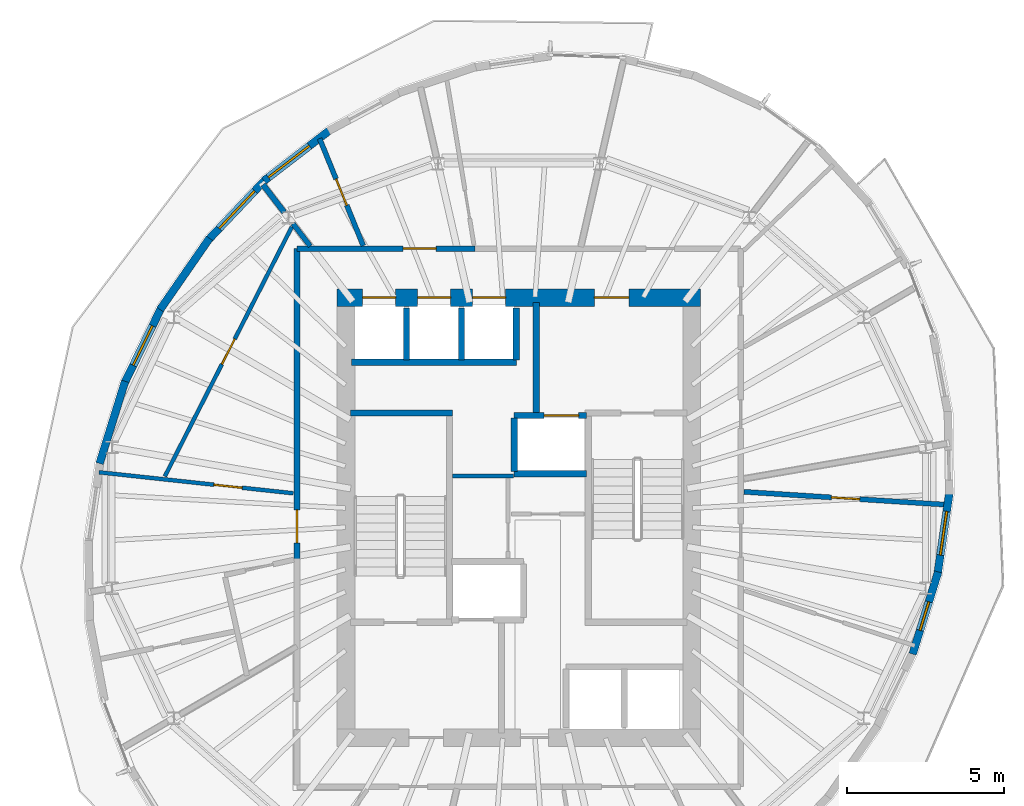
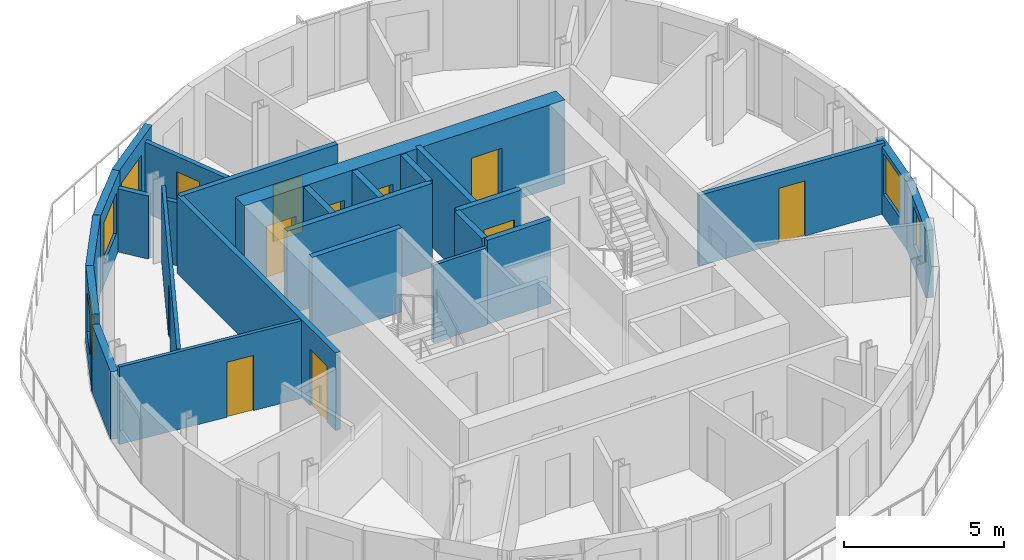
# One storey, part 6 of 11: 26 walls, 11 doors, 5 windows, 16 openings.
"""IFC4 building model written with IfcOpenShell, lengths in metres."""

from ifc_helpers import new_model, si_unit, direction, frame, frame_2d, origin, place, context, subcontext, project, spatial, rectangle, extrude, material, layer, layer_set, type_object, element, fill, save


model = new_model("IFC4")

# Units and contexts
model_context = context("Model", 3, precision=1e-05, world=origin(), true_north=direction((0.0, 1.0)))
body_context = subcontext(model_context, "Body", "Model", "MODEL_VIEW")
ifc_project = project(units=[si_unit("LENGTHUNIT", "METRE"), si_unit("AREAUNIT", "SQUARE_METRE"), si_unit("VOLUMEUNIT", "CUBIC_METRE"), si_unit("PLANEANGLEUNIT", "RADIAN"), si_unit("MASSUNIT", "GRAM", prefix="KILO")], contexts=[model_context])

# Site, building, storey
site_placement = place(None, origin())
site = spatial("IfcSite", under=ifc_project, at=site_placement, CompositionType="ELEMENT")
building_placement = place(site_placement, origin())
building = spatial("IfcBuilding", under=site, at=building_placement, Name="Veldorim Arch Residences", CompositionType="ELEMENT")
storey_placement = place(building_placement, frame((0.0, 0.0, 236.639892578125)))
storey = spatial("IfcBuildingStorey", under=building, at=storey_placement, Name="L71", CompositionType="ELEMENT", Elevation=236.639892578125)

# Wall
ifc_material_1 = material(Name="Acoustic Gypsum Board", Category="gypsum")
ifc_layer_1 = layer(ifc_material_1, 0.125, Name="Acoustic Stud Room Partition Wall 125")
ifc_layer_set_1 = layer_set([ifc_layer_1], Name="Acoustic Gypsum Board")
wall_type_1 = type_object("IfcWallType", Name="Acoustic Stud Room Partition Wall 125", PredefinedType="PARTITIONING", material=ifc_layer_set_1)
wall_1_placement = place(storey_placement, frame((29.889892578125, 25.330078125, 0.0), z_axis=(0.0, 0.0, 1.0), x_axis=(1.0, 0.0, 0.0)))
element("IfcWall", 1, at=wall_1_placement, inside=storey, type_object=wall_type_1, Name="L71 interior wall WL-CA-L71-N", PredefinedType="PARTITIONING", context=body_context, shape_type="SweptSolid", body=[
    extrude(rectangle(XDim=1.940185546875, YDim=0.125, at=frame_2d((0.97021484375, 0.0))), origin(), (0.0, 0.0, 1.0), 2.955078125),
])

# Wall, opening, door
wall_2_placement = place(storey_placement, frame((18.640380859375, 25.444580078125, 0.0), z_axis=(0.0, 0.0, 1.0), x_axis=(0.994206026696, -0.107491285604, 0.0)))
wall_2 = element("IfcWall", 2, at=wall_2_placement, inside=storey, type_object=wall_type_1, Name="L71 interior wall WL-RES-L71-025", PredefinedType="PARTITIONING", context=body_context, shape_type="SweptSolid", body=[
    extrude(rectangle(XDim=6.216552734375, YDim=0.125, at=frame_2d((3.1083984375, 0.0))), origin(), (0.0, 0.0, 1.0), 2.955078125),
])
opening_1_placement = place(wall_2_placement, frame((3.67822265625, 0.0, 0.0)))
opening_1 = element("IfcOpeningElement", 3, at=opening_1_placement, cuts=wall_2, Name="Opening DR-INT", PredefinedType="OPENING", context=body_context, shape_type="SweptSolid", body=[
    extrude(rectangle(XDim=0.89990234375, YDim=2.10009765625, at=frame_2d((0.449951171875, 1.050048828125))), frame((0.0, 0.072509765625, 0.0), z_axis=(0.0, -1.0, 0.0), x_axis=(1.0, 0.0, 0.0)), (0.0, 0.0, 1.0), 0.14501953125),
])
ifc_material_2 = material(Name="Engineered Timber", Category="wood")
door_type_1 = type_object("IfcDoorType", Name="Apartment Internal Room Timber Door 900x2100", OperationType="SINGLE_SWING_LEFT", PredefinedType="DOOR", material=ifc_material_2)
door_1_placement = place(opening_1_placement, origin())
door_1 = element("IfcDoor", 4, at=door_1_placement, inside=storey, type_object=door_type_1, Name="L71 interior door DR-RES-L71-017", OperationType="SINGLE_SWING_LEFT", OverallHeight=2.10009765625, OverallWidth=0.89990234375, PredefinedType="DOOR", context=body_context, shape_type="SweptSolid", body=[
    extrude(rectangle(XDim=0.89990234375, YDim=2.10009765625, at=frame_2d((0.449951171875, 1.050048828125))), frame((0.0, 0.02490234375, 0.0), z_axis=(0.0, -1.0, 0.0), x_axis=(1.0, 0.0, 0.0)), (0.0, 0.0, 1.0), 0.050048828125),
])
fill(opening_1, door_1)

wall_3_placement = place(storey_placement, frame((20.733642578125, 25.312255859375, 0.0), z_axis=(0.0, 0.0, 1.0), x_axis=(0.45353588766, 0.891238014564, 0.0)))
wall_3 = element("IfcWall", 5, at=wall_3_placement, inside=storey, type_object=wall_type_1, Name="L71 interior wall WL-RES-L71-028", PredefinedType="PARTITIONING", context=body_context, shape_type="SweptSolid", body=[
    extrude(rectangle(XDim=8.912109375, YDim=0.125, at=frame_2d((4.4560546875, 0.0))), origin(), (0.0, 0.0, 1.0), 2.955078125),
])
opening_2_placement = place(wall_3_placement, frame((4.006103515625, 0.0, 0.0)))
opening_2 = element("IfcOpeningElement", 6, at=opening_2_placement, cuts=wall_3, Name="Opening DR-INT", PredefinedType="OPENING", context=body_context, shape_type="SweptSolid", body=[
    extrude(rectangle(XDim=0.89990234375, YDim=2.10009765625, at=frame_2d((0.449951171875, 1.050048828125))), frame((0.0, 0.072509765625, 0.0), z_axis=(0.0, -1.0, 0.0), x_axis=(1.0, 0.0, 0.0)), (0.0, 0.0, 1.0), 0.14501953125),
])
door_2_placement = place(opening_2_placement, origin())
door_2 = element("IfcDoor", 7, at=door_2_placement, inside=storey, type_object=door_type_1, Name="L71 interior door DR-RES-L71-018", OperationType="SINGLE_SWING_RIGHT", OverallHeight=2.10009765625, OverallWidth=0.89990234375, PredefinedType="DOOR", context=body_context, shape_type="SweptSolid", body=[
    extrude(rectangle(XDim=0.89990234375, YDim=2.10009765625, at=frame_2d((0.449951171875, 1.050048828125))), frame((0.0, 0.02490234375, 0.0), z_axis=(0.0, -1.0, 0.0), x_axis=(1.0, 0.0, 0.0)), (0.0, 0.0, 1.0), 0.050048828125),
])
fill(opening_2, door_2)

# Wall
ifc_material_3 = material(Name="Lightweight Masonry Block & Gypsum", Category="masonry")
ifc_layer_2 = layer(ifc_material_3, 0.179931640625, Name="Compartment & Corridor Fire-Rated Party Wall 180")
ifc_layer_set_2 = layer_set([ifc_layer_2], Name="Lightweight Masonry Block & Gypsum")
wall_type_2 = type_object("IfcWallType", Name="Compartment & Corridor Fire-Rated Party Wall 180", PredefinedType="PARTITIONING", material=ifc_layer_set_2)
wall_4_placement = place(storey_placement, frame((24.53271484375, 33.719482421875, 0.0), z_axis=(0.0, 0.0, 1.0), x_axis=(-0.609209464238, 0.793009349682, 0.0)))
element("IfcWall", 8, at=wall_4_placement, inside=storey, type_object=wall_type_2, Name="L71 interior wall WL-PIER-L71-06", PredefinedType="PARTITIONING", context=body_context, shape_type="SweptSolid", body=[
    extrude(rectangle(XDim=1.1064453125, YDim=0.179931640625, at=frame_2d((0.55322265625, 0.0))), origin(), (0.0, 0.0, 1.0), 2.403564453125),
])

# Wall, opening, door
wall_5_placement = place(storey_placement, frame((24.93994140625, 32.56005859375, 0.0), z_axis=(0.0, 0.0, 1.0), x_axis=(1.0, 0.0, 0.0)))
wall_5 = element("IfcWall", 9, at=wall_5_placement, inside=storey, type_object=wall_type_2, Name="L71 interior wall WL-RES-L71-007", PredefinedType="PARTITIONING", context=body_context, shape_type="SweptSolid", body=[
    extrude(rectangle(XDim=5.671875, YDim=0.179931640625, at=frame_2d((2.8359375, 0.0))), origin(), (0.0, 0.0, 1.0), 2.955078125),
])
opening_3_placement = place(wall_5_placement, frame((3.373291015625, 0.0, 0.0)))
opening_3 = element("IfcOpeningElement", 10, at=opening_3_placement, cuts=wall_5, Name="Opening DR-FLT", PredefinedType="OPENING", context=body_context, shape_type="SweptSolid", body=[
    extrude(rectangle(XDim=1.050048828125, YDim=2.14990234375, at=frame_2d((0.52490234375, 1.074951171875))), frame((0.0, 0.099853515625, 0.0), z_axis=(0.0, -1.0, 0.0), x_axis=(1.0, 0.0, 0.0)), (0.0, 0.0, 1.0), 0.199951171875),
])
ifc_material_4 = material(Name="Fire-Rated Timber", Category="wood")
door_type_2 = type_object("IfcDoorType", Name="Apartment Entrance Solid-Core Fire Door 1050x2150", OperationType="SINGLE_SWING_LEFT", PredefinedType="DOOR", material=ifc_material_4)
door_3_placement = place(opening_3_placement, origin())
door_3 = element("IfcDoor", 11, at=door_3_placement, inside=storey, type_object=door_type_2, Name="L71 interior door DR-RES-L71-012", OperationType="SINGLE_SWING_RIGHT", OverallHeight=2.14990234375, OverallWidth=1.050048828125, PredefinedType="DOOR", context=body_context, shape_type="SweptSolid", body=[
    extrude(rectangle(XDim=1.050048828125, YDim=2.14990234375, at=frame_2d((0.52490234375, 1.074951171875))), frame((0.0, 0.02490234375, 0.0), z_axis=(0.0, -1.0, 0.0), x_axis=(1.0, 0.0, 0.0)), (0.0, 0.0, 1.0), 0.050048828125),
])
fill(opening_3, door_3)

wall_6_placement = place(storey_placement, frame((24.93994140625, 22.664306640625, 0.0), z_axis=(0.0, 0.0, 1.0), x_axis=(0.0, 1.0, 0.0)))
wall_6 = element("IfcWall", 12, at=wall_6_placement, inside=storey, type_object=wall_type_2, Name="L71 interior wall WL-RES-L71-008", PredefinedType="PARTITIONING", context=body_context, shape_type="SweptSolid", body=[
    extrude(rectangle(XDim=9.895751953125, YDim=0.179931640625, at=frame_2d((4.94775390625, 0.0))), origin(), (0.0, 0.0, 1.0), 2.955078125),
])
opening_4_placement = place(wall_6_placement, frame((0.53466796875, 0.0, 0.0)))
opening_4 = element("IfcOpeningElement", 13, at=opening_4_placement, cuts=wall_6, Name="Opening DR-FLT", PredefinedType="OPENING", context=body_context, shape_type="SweptSolid", body=[
    extrude(rectangle(XDim=1.050048828125, YDim=2.14990234375, at=frame_2d((0.52490234375, 1.074951171875))), frame((0.0, 0.099853515625, 0.0), z_axis=(0.0, -1.0, 0.0), x_axis=(1.0, 0.0, 0.0)), (0.0, 0.0, 1.0), 0.199951171875),
])
door_4_placement = place(opening_4_placement, origin())
door_4 = element("IfcDoor", 14, at=door_4_placement, inside=storey, type_object=door_type_2, Name="L71 interior door DR-RES-L71-015", OperationType="SINGLE_SWING_LEFT", OverallHeight=2.14990234375, OverallWidth=1.050048828125, PredefinedType="DOOR", context=body_context, shape_type="SweptSolid", body=[
    extrude(rectangle(XDim=1.050048828125, YDim=2.14990234375, at=frame_2d((0.52490234375, 1.074951171875))), frame((0.0, 0.02490234375, 0.0), z_axis=(0.0, -1.0, 0.0), x_axis=(1.0, 0.0, 0.0)), (0.0, 0.0, 1.0), 0.050048828125),
])
fill(opening_4, door_4)

# Walls
ifc_material_5 = material(Name="Concrete C50/60", Category="concrete")
ifc_layer_3 = layer(ifc_material_5, 0.199951171875, Name="Core Stair & Lift Shaft Enclosure Wall 200")
ifc_layer_set_3 = layer_set([ifc_layer_3], Name="Concrete C50/60")
wall_type_3 = type_object("IfcWallType", Name="Core Stair & Lift Shaft Enclosure Wall 200", PredefinedType="SHEAR", material=ifc_layer_set_3)
wall_7_placement = place(storey_placement, frame((26.64990234375, 27.330078125, 0.0), z_axis=(0.0, 0.0, 1.0), x_axis=(1.0, 0.0, 0.0)))
element("IfcWall", 15, at=wall_7_placement, inside=storey, type_object=wall_type_3, Name="L71 shaft wall WL-SHF-L71-ST1-N", PredefinedType="SHEAR", context=body_context, shape_type="SweptSolid", body=[
    extrude(rectangle(XDim=3.239990234375, YDim=0.199951171875, at=frame_2d((1.6201171875, 0.0))), origin(), (0.0, 0.0, 1.0), 3.2001953125),
])
wall_8_placement = place(storey_placement, frame((32.550048828125, 27.35009765625, 0.0), z_axis=(0.0, 0.0, 1.0), x_axis=(0.0, 1.0, 0.0)))
element("IfcWall", 16, at=wall_8_placement, inside=storey, type_object=wall_type_3, Name="L71 shaft wall WL-FFL2-L71-W", PredefinedType="SHEAR", context=body_context, shape_type="SweptSolid", body=[
    extrude(rectangle(XDim=3.5, YDim=0.199951171875, at=frame_2d((1.75, 0.0))), origin(), (0.0, 0.0, 1.0), 3.2001953125),
])

# Wall, opening, door
wall_9_placement = place(storey_placement, frame((31.85009765625, 27.25, 0.0), z_axis=(0.0, 0.0, 1.0), x_axis=(1.0, 0.0, 0.0)))
wall_9 = element("IfcWall", 17, at=wall_9_placement, inside=storey, type_object=wall_type_3, Name="L71 shaft wall WL-FL02-L71-N", PredefinedType="SHEAR", context=body_context, shape_type="SweptSolid", body=[
    extrude(rectangle(XDim=2.2998046875, YDim=0.199951171875, at=frame_2d((1.14990234375, 0.0))), origin(), (0.0, 0.0, 1.0), 3.2001953125),
])
opening_5_placement = place(wall_9_placement, frame((0.949951171875, 0.0, 0.0)))
opening_5 = element("IfcOpeningElement", 18, at=opening_5_placement, cuts=wall_9, Name="Opening LD-FF", PredefinedType="OPENING", context=body_context, shape_type="SweptSolid", body=[
    extrude(rectangle(XDim=1.10009765625, YDim=2.14990234375, at=frame_2d((0.550048828125, 1.074951171875))), frame((0.0, 0.10986328125, 0.0), z_axis=(0.0, -1.0, 0.0), x_axis=(1.0, 0.0, 0.0)), (0.0, 0.0, 1.0), 0.219970703125),
])
ifc_material_6 = material(Name="Stainless Steel", Category="steel")
door_type_3 = type_object("IfcDoorType", Name="Firefighting Lift Bi-Parting Sliding Landing Door 1100x2150", OperationType="DOUBLE_DOOR_SLIDING", PredefinedType="DOOR", material=ifc_material_6)
door_5_placement = place(opening_5_placement, origin())
door_5 = element("IfcDoor", 19, at=door_5_placement, inside=storey, type_object=door_type_3, Name="L71 lift landing door LD-L71-FL02", OperationType="DOUBLE_DOOR_SLIDING", OverallHeight=2.14990234375, OverallWidth=1.10009765625, PredefinedType="DOOR", context=body_context, shape_type="SweptSolid", body=[
    extrude(rectangle(XDim=1.10009765625, YDim=2.14990234375, at=frame_2d((0.550048828125, 1.074951171875))), frame((0.0, 0.02490234375, 0.0), z_axis=(0.0, -1.0, 0.0), x_axis=(1.0, 0.0, 0.0)), (0.0, 0.0, 1.0), 0.050048828125),
])
fill(opening_5, door_5)

# Walls
wall_10_placement = place(storey_placement, frame((31.85009765625, 25.39990234375, 0.0), z_axis=(0.0, 0.0, 1.0), x_axis=(1.0, 0.0, 0.0)))
element("IfcWall", 20, at=wall_10_placement, inside=storey, type_object=wall_type_3, Name="L71 shaft wall WL-FL02-L71-S", PredefinedType="SHEAR", context=body_context, shape_type="SweptSolid", body=[
    extrude(rectangle(XDim=2.2998046875, YDim=0.199951171875, at=frame_2d((1.14990234375, 0.0))), origin(), (0.0, 0.0, 1.0), 3.2001953125),
])
wall_11_placement = place(storey_placement, frame((31.85009765625, 25.469970703125, 0.0), z_axis=(0.0, 0.0, 1.0), x_axis=(0.0, 1.0, 0.0)))
element("IfcWall", 21, at=wall_11_placement, inside=storey, type_object=wall_type_3, Name="L71 shaft wall WL-FL02-L71-W", PredefinedType="SHEAR", context=body_context, shape_type="SweptSolid", body=[
    extrude(rectangle(XDim=1.7099609375, YDim=0.199951171875, at=frame_2d((0.85498046875, 0.0))), origin(), (0.0, 0.0, 1.0), 3.2001953125),
])
wall_12_placement = place(storey_placement, frame((26.679931640625, 28.949951171875, 0.0), z_axis=(0.0, 0.0, 1.0), x_axis=(1.0, 0.0, 0.0)))
element("IfcWall", 22, at=wall_12_placement, inside=storey, type_object=wall_type_3, Name="L71 shaft wall WL-B3-L71-S", PredefinedType="SHEAR", context=body_context, shape_type="SweptSolid", body=[
    extrude(rectangle(XDim=5.239990234375, YDim=0.199951171875, at=frame_2d((2.6201171875, 0.0))), origin(), (0.0, 0.0, 1.0), 3.2001953125),
])
for number, where, z_axis, x_axis, name in (
    (23, (31.919921875, 29.02001953125, 0.0), (0.0, 0.0, 1.0), (0.0, 1.0, 0.0), "L71 shaft wall WL-B3-L71-E"),
    (24, (28.425048828125, 29.02001953125, 0.0), (0.0, 0.0, 1.0), (0.0, 1.0, 0.0), "L71 shaft wall WL-B3-L71-D1"),
    (25, (30.175048828125, 29.02001953125, 0.0), (0.0, 0.0, 1.0), (0.0, 1.0, 0.0), "L71 shaft wall WL-B3-L71-D2"),
):
    element("IfcWall", number, at=place(storey_placement, frame(where, z_axis=z_axis, x_axis=x_axis)), inside=storey, type_object=wall_type_3, Name=name, PredefinedType="SHEAR", context=body_context, shape_type="SweptSolid", body=[
        extrude(rectangle(XDim=1.659912109375, YDim=0.199951171875, at=frame_2d((0.830078125, 0.0))), origin(), (0.0, 0.0, 1.0), 3.2001953125),
    ])

# Wall, opening, window
ifc_material_7 = material(Name="Precast concrete C40/50", Category="concrete")
ifc_layer_4 = layer(ifc_material_7, 0.25, Name="Tower Terracotta Spandrel & Pier Wall 250")
ifc_layer_set_4 = layer_set([ifc_layer_4], Name="Precast concrete C40/50")
wall_type_4 = type_object("IfcWallType", Name="Tower Terracotta Spandrel & Pier Wall 250", PredefinedType="SOLIDWALL", material=ifc_layer_set_4)
wall_13_placement = place(storey_placement, frame((23.888671875, 34.720947265625, 0.0), z_axis=(0.0, 0.0, 1.0), x_axis=(0.792543354822, 0.609815571076, 0.0)))
wall_13 = element("IfcWall", 26, at=wall_13_placement, inside=storey, type_object=wall_type_4, Name="L71 terracotta facade wall 07", PredefinedType="SOLIDWALL", context=body_context, shape_type="SweptSolid", body=[
    extrude(rectangle(XDim=2.70166015625, YDim=0.25, at=frame_2d((1.350830078125, 0.0))), origin(), (0.0, 0.0, 1.0), 2.960205078125),
])
opening_6_placement = place(wall_13_placement, frame((0.175048828125, 0.0, 0.85009765625)))
opening_6 = element("IfcOpeningElement", 27, at=opening_6_placement, cuts=wall_13, Name="Opening WN-03", PredefinedType="OPENING", context=body_context, shape_type="SweptSolid", body=[
    extrude(rectangle(XDim=1.64990234375, YDim=1.52001953125, at=frame_2d((0.824951171875, 0.760009765625))), frame((0.0, 0.135009765625, 0.0), z_axis=(0.0, -1.0, 0.0), x_axis=(1.0, 0.0, 0.0)), (0.0, 0.0, 1.0), 0.27001953125),
])
ifc_material_8 = material(Name="Laminated Low-E Glass", Category="glass")
window_type_1 = type_object("IfcWindowType", Name="Residential Wide Window 1650x1550", PartitioningType="SINGLE_PANEL", PredefinedType="WINDOW", material=ifc_material_8)
window_1_placement = place(opening_6_placement, origin())
window_1 = element("IfcWindow", 28, at=window_1_placement, inside=storey, type_object=window_type_1, Name="L71 solar-control facade window 07", OverallHeight=1.52001953125, OverallWidth=1.64990234375, PartitioningType="SINGLE_PANEL", PredefinedType="WINDOW", context=body_context, shape_type="SweptSolid", body=[
    extrude(rectangle(XDim=1.64990234375, YDim=1.52001953125, at=frame_2d((0.824951171875, 0.760009765625))), frame((0.0, 0.030029296875, 0.0), z_axis=(0.0, -1.0, 0.0), x_axis=(1.0, 0.0, 0.0)), (0.0, 0.0, 1.0), 0.06005859375),
])
fill(opening_6, window_1)

wall_14_placement = place(storey_placement, frame((22.08544921875, 32.806884765625, 0.0), z_axis=(0.0, 0.0, 1.0), x_axis=(0.688046261031, 0.725666826223, 0.0)))
wall_14 = element("IfcWall", 29, at=wall_14_placement, inside=storey, type_object=wall_type_4, Name="L71 terracotta facade wall 08", PredefinedType="SOLIDWALL", context=body_context, shape_type="SweptSolid", body=[
    extrude(rectangle(XDim=2.738525390625, YDim=0.25, at=frame_2d((1.369140625, 0.0))), origin(), (0.0, 0.0, 1.0), 2.960205078125),
])
opening_7_placement = place(wall_14_placement, frame((0.5439453125, 0.0, 0.85009765625)))
opening_7 = element("IfcOpeningElement", 30, at=opening_7_placement, cuts=wall_14, Name="Opening WN-03", PredefinedType="OPENING", context=body_context, shape_type="SweptSolid", body=[
    extrude(rectangle(XDim=1.64990234375, YDim=1.550048828125, at=frame_2d((0.824951171875, 0.77490234375))), frame((0.0, 0.135009765625, 0.0), z_axis=(0.0, -1.0, 0.0), x_axis=(1.0, 0.0, 0.0)), (0.0, 0.0, 1.0), 0.27001953125),
])
window_2_placement = place(opening_7_placement, origin())
window_2 = element("IfcWindow", 31, at=window_2_placement, inside=storey, type_object=window_type_1, Name="L71 solar-control facade window 08", OverallHeight=1.550048828125, OverallWidth=1.64990234375, PartitioningType="SINGLE_PANEL", PredefinedType="WINDOW", context=body_context, shape_type="SweptSolid", body=[
    extrude(rectangle(XDim=1.64990234375, YDim=1.550048828125, at=frame_2d((0.824951171875, 0.77490234375))), frame((0.0, 0.030029296875, 0.0), z_axis=(0.0, -1.0, 0.0), x_axis=(1.0, 0.0, 0.0)), (0.0, 0.0, 1.0), 0.06005859375),
])
fill(opening_7, window_2)

# Wall
wall_15_placement = place(storey_placement, frame((20.583740234375, 30.6240234375, 0.0), z_axis=(0.0, 0.0, 1.0), x_axis=(0.569421689582, 0.822045582333, 0.0)))
element("IfcWall", 32, at=wall_15_placement, inside=storey, type_object=wall_type_4, Name="L71 terracotta facade wall 09", PredefinedType="SOLIDWALL", context=body_context, shape_type="SweptSolid", body=[
    extrude(rectangle(XDim=2.758056640625, YDim=0.25, at=frame_2d((1.37890625, 0.0))), origin(), (0.0, 0.0, 1.0), 2.960205078125),
])

# Wall, opening, window
wall_16_placement = place(storey_placement, frame((19.42919921875, 28.2392578125, 0.0), z_axis=(0.0, 0.0, 1.0), x_axis=(0.438517804861, 0.898722501565, 0.0)))
wall_16 = element("IfcWall", 33, at=wall_16_placement, inside=storey, type_object=wall_type_4, Name="L71 terracotta facade wall 10", PredefinedType="SOLIDWALL", context=body_context, shape_type="SweptSolid", body=[
    extrude(rectangle(XDim=2.758056640625, YDim=0.25, at=frame_2d((1.37890625, 0.0))), origin(), (0.0, 0.0, 1.0), 2.960205078125),
])
opening_8_placement = place(wall_16_placement, frame((0.678955078125, 0.0, 0.85009765625)))
opening_8 = element("IfcOpeningElement", 34, at=opening_8_placement, cuts=wall_16, Name="Opening WN-02", PredefinedType="OPENING", context=body_context, shape_type="SweptSolid", body=[
    extrude(rectangle(XDim=1.39990234375, YDim=1.550048828125, at=frame_2d((0.699951171875, 0.77490234375))), frame((0.0, 0.135009765625, 0.0), z_axis=(0.0, -1.0, 0.0), x_axis=(1.0, 0.0, 0.0)), (0.0, 0.0, 1.0), 0.27001953125),
])
ifc_material_9 = material(Name="Laminated Low-E Glass", Category="glass")
window_type_2 = type_object("IfcWindowType", Name="Residential Casement Window 1400x1550", PartitioningType="SINGLE_PANEL", PredefinedType="WINDOW", material=ifc_material_9)
window_3_placement = place(opening_8_placement, origin())
window_3 = element("IfcWindow", 35, at=window_3_placement, inside=storey, type_object=window_type_2, Name="L71 solar-control facade window 10", OverallHeight=1.550048828125, OverallWidth=1.39990234375, PartitioningType="SINGLE_PANEL", PredefinedType="WINDOW", context=body_context, shape_type="SweptSolid", body=[
    extrude(rectangle(XDim=1.39990234375, YDim=1.550048828125, at=frame_2d((0.699951171875, 0.77490234375))), frame((0.0, 0.030029296875, 0.0), z_axis=(0.0, -1.0, 0.0), x_axis=(1.0, 0.0, 0.0)), (0.0, 0.0, 1.0), 0.06005859375),
])
fill(opening_8, window_3)

# Wall
wall_17_placement = place(storey_placement, frame((18.657470703125, 25.72509765625, 0.0), z_axis=(0.0, 0.0, 1.0), x_axis=(0.29642164717, 0.955057174775, 0.0)))
element("IfcWall", 36, at=wall_17_placement, inside=storey, type_object=wall_type_4, Name="L71 terracotta facade wall 11", PredefinedType="SOLIDWALL", context=body_context, shape_type="SweptSolid", body=[
    extrude(rectangle(XDim=2.738525390625, YDim=0.25, at=frame_2d((1.369140625, 0.0))), origin(), (0.0, 0.0, 1.0), 2.5771484375),
])

# Wall, opening, window
wall_18_placement = place(storey_placement, frame((45.342529296875, 22.27490234375, 0.0), z_axis=(0.0, 0.0, 1.0), x_axis=(-0.29642164717, -0.955057174775, 0.0)))
wall_18 = element("IfcWall", 37, at=wall_18_placement, inside=storey, type_object=wall_type_4, Name="L71 terracotta facade wall 29", PredefinedType="SOLIDWALL", context=body_context, shape_type="SweptSolid", body=[
    extrude(rectangle(XDim=2.738525390625, YDim=0.25, at=frame_2d((1.369140625, 0.0))), origin(), (0.0, 0.0, 1.0), 2.5771484375),
])
opening_9_placement = place(wall_18_placement, frame((0.9970703125, 0.0, 0.85009765625)))
opening_9 = element("IfcOpeningElement", 38, at=opening_9_placement, cuts=wall_18, Name="Opening WN-05", PredefinedType="OPENING", context=body_context, shape_type="SweptSolid", body=[
    extrude(rectangle(XDim=0.949951171875, YDim=1.449951171875, at=frame_2d((0.47509765625, 0.72509765625))), frame((0.0, 0.135009765625, 0.0), z_axis=(0.0, -1.0, 0.0), x_axis=(1.0, 0.0, 0.0)), (0.0, 0.0, 1.0), 0.27001953125),
])
ifc_material_10 = material(Name="Laminated Low-E Glass", Category="glass")
window_type_3 = type_object("IfcWindowType", Name="Residential Compact Casement Window 950x1450", PartitioningType="SINGLE_PANEL", PredefinedType="WINDOW", material=ifc_material_10)
window_4_placement = place(opening_9_placement, origin())
window_4 = element("IfcWindow", 39, at=window_4_placement, inside=storey, type_object=window_type_3, Name="L71 solar-control facade window 29", OverallHeight=1.449951171875, OverallWidth=0.949951171875, PartitioningType="SINGLE_PANEL", PredefinedType="WINDOW", context=body_context, shape_type="SweptSolid", body=[
    extrude(rectangle(XDim=0.949951171875, YDim=1.449951171875, at=frame_2d((0.47509765625, 0.72509765625))), frame((0.0, 0.030029296875, 0.0), z_axis=(0.0, -1.0, 0.0), x_axis=(1.0, 0.0, 0.0)), (0.0, 0.0, 1.0), 0.06005859375),
])
fill(opening_9, window_4)

wall_19_placement = place(storey_placement, frame((45.7080078125, 24.841796875, 0.0), z_axis=(0.0, 0.0, 1.0), x_axis=(-0.144229466115, -0.989544269401, 0.0)))
wall_19 = element("IfcWall", 40, at=wall_19_placement, inside=storey, type_object=wall_type_4, Name="L71 terracotta facade wall 30", PredefinedType="SOLIDWALL", context=body_context, shape_type="SweptSolid", body=[
    extrude(rectangle(XDim=2.70166015625, YDim=0.25, at=frame_2d((1.350830078125, 0.0))), origin(), (0.0, 0.0, 1.0), 2.5771484375),
])
opening_10_placement = place(wall_19_placement, frame((0.65087890625, 0.0, 0.85009765625)))
opening_10 = element("IfcOpeningElement", 41, at=opening_10_placement, cuts=wall_19, Name="Opening WN-02", PredefinedType="OPENING", context=body_context, shape_type="SweptSolid", body=[
    extrude(rectangle(XDim=1.39990234375, YDim=1.550048828125, at=frame_2d((0.699951171875, 0.77490234375))), frame((0.0, 0.135009765625, 0.0), z_axis=(0.0, -1.0, 0.0), x_axis=(1.0, 0.0, 0.0)), (0.0, 0.0, 1.0), 0.27001953125),
])
window_5_placement = place(opening_10_placement, origin())
window_5 = element("IfcWindow", 42, at=window_5_placement, inside=storey, type_object=window_type_2, Name="L71 solar-control facade window 30", OverallHeight=1.550048828125, OverallWidth=1.39990234375, PartitioningType="SINGLE_PANEL", PredefinedType="WINDOW", context=body_context, shape_type="SweptSolid", body=[
    extrude(rectangle(XDim=1.39990234375, YDim=1.550048828125, at=frame_2d((0.699951171875, 0.77490234375))), frame((0.0, 0.030029296875, 0.0), z_axis=(0.0, -1.0, 0.0), x_axis=(1.0, 0.0, 0.0)), (0.0, 0.0, 1.0), 0.06005859375),
])
fill(opening_10, window_5)

# Wall, openings, doors
ifc_material_11 = material(Name="Concrete C50/60", Category="concrete")
ifc_layer_5 = layer(ifc_material_11, 0.5, Name="Upper Central Core Shear Wall 560")
ifc_layer_set_5 = layer_set([ifc_layer_5], Name="Concrete C50/60")
wall_type_5 = type_object("IfcWallType", Name="Upper Central Core Shear Wall 560", PredefinedType="SHEAR", material=ifc_layer_set_5)
wall_20_placement = place(storey_placement, frame((26.219970703125, 31.0, 0.0), z_axis=(0.0, 0.0, 1.0), x_axis=(1.0, 0.0, 0.0)))
wall_20 = element("IfcWall", 43, at=wall_20_placement, inside=storey, type_object=wall_type_5, Name="L71 central core north shear wall", PredefinedType="SHEAR", context=body_context, shape_type="SweptSolid", body=[
    extrude(rectangle(XDim=11.56005859375, YDim=0.56005859375, at=frame_2d((5.780029296875, 0.0))), origin(), (0.0, 0.0, 1.0), 3.2001953125),
])
opening_11_placement = place(wall_20_placement, frame((8.179931640625, 0.0, 0.0)))
opening_11 = element("IfcOpeningElement", 44, at=opening_11_placement, cuts=wall_20, Name="Opening DR-FFL", PredefinedType="OPENING", context=body_context, shape_type="SweptSolid", body=[
    extrude(rectangle(XDim=1.10009765625, YDim=2.14990234375, at=frame_2d((0.550048828125, 1.074951171875))), frame((0.0, 0.2900390625, 0.0), z_axis=(0.0, -1.0, 0.0), x_axis=(1.0, 0.0, 0.0)), (0.0, 0.0, 1.0), 0.580078125),
])
opening_12_placement = place(wall_20_placement, frame((0.804931640625, 0.0, 0.0)))
opening_12 = element("IfcOpeningElement", 45, at=opening_12_placement, cuts=wall_20, Name="Opening LD-PS", PredefinedType="OPENING", context=body_context, shape_type="SweptSolid", body=[
    extrude(rectangle(XDim=1.050048828125, YDim=2.14990234375, at=frame_2d((0.52490234375, 1.074951171875))), frame((0.0, 0.2900390625, 0.0), z_axis=(0.0, -1.0, 0.0), x_axis=(1.0, 0.0, 0.0)), (0.0, 0.0, 1.0), 0.580078125),
])
opening_13_placement = place(wall_20_placement, frame((2.554931640625, 0.0, 0.0)))
opening_13 = element("IfcOpeningElement", 46, at=opening_13_placement, cuts=wall_20, Name="Opening LD-PS", PredefinedType="OPENING", context=body_context, shape_type="SweptSolid", body=[
    extrude(rectangle(XDim=1.050048828125, YDim=2.14990234375, at=frame_2d((0.52490234375, 1.074951171875))), frame((0.0, 0.2900390625, 0.0), z_axis=(0.0, -1.0, 0.0), x_axis=(1.0, 0.0, 0.0)), (0.0, 0.0, 1.0), 0.580078125),
])
opening_14_placement = place(wall_20_placement, frame((4.304931640625, 0.0, 0.0)))
opening_14 = element("IfcOpeningElement", 47, at=opening_14_placement, cuts=wall_20, Name="Opening LD-PS", PredefinedType="OPENING", context=body_context, shape_type="SweptSolid", body=[
    extrude(rectangle(XDim=1.050048828125, YDim=2.14990234375, at=frame_2d((0.52490234375, 1.074951171875))), frame((0.0, 0.2900390625, 0.0), z_axis=(0.0, -1.0, 0.0), x_axis=(1.0, 0.0, 0.0)), (0.0, 0.0, 1.0), 0.580078125),
])
ifc_material_12 = material(Name="Fire-Rated Steel & Vision Glass", Category="steel")
door_type_4 = type_object("IfcDoorType", Name="Firefighting Lobby Smoke-Stop Fire Door 1100x2150", OperationType="SINGLE_SWING_LEFT", PredefinedType="DOOR", material=ifc_material_12)
door_6_placement = place(opening_11_placement, origin())
door_6 = element("IfcDoor", 48, at=door_6_placement, inside=storey, type_object=door_type_4, Name="L71 interior door DR-L71-FFL2", OperationType="SINGLE_SWING_LEFT", OverallHeight=2.14990234375, OverallWidth=1.10009765625, PredefinedType="DOOR", context=body_context, shape_type="SweptSolid", body=[
    extrude(rectangle(XDim=1.10009765625, YDim=2.14990234375, at=frame_2d((0.550048828125, 1.074951171875))), frame((0.0, 0.02490234375, 0.0), z_axis=(0.0, -1.0, 0.0), x_axis=(1.0, 0.0, 0.0)), (0.0, 0.0, 1.0), 0.050048828125),
])
fill(opening_11, door_6)
ifc_material_13 = material(Name="Stainless Steel", Category="steel")
door_type_5 = type_object("IfcDoorType", Name="Passenger Lift Bi-Parting Sliding Landing Door 1050x2150", OperationType="DOUBLE_DOOR_SLIDING", PredefinedType="DOOR", material=ifc_material_13)
door_7_placement = place(opening_12_placement, origin())
door_7 = element("IfcDoor", 49, at=door_7_placement, inside=storey, type_object=door_type_5, Name="L71 lift landing door LD-L71-PL-08", OperationType="DOUBLE_DOOR_SLIDING", OverallHeight=2.14990234375, OverallWidth=1.050048828125, PredefinedType="DOOR", context=body_context, shape_type="SweptSolid", body=[
    extrude(rectangle(XDim=1.050048828125, YDim=2.14990234375, at=frame_2d((0.52490234375, 1.074951171875))), frame((0.0, 0.02490234375, 0.0), z_axis=(0.0, -1.0, 0.0), x_axis=(1.0, 0.0, 0.0)), (0.0, 0.0, 1.0), 0.050048828125),
])
fill(opening_12, door_7)
door_8_placement = place(opening_13_placement, origin())
door_8 = element("IfcDoor", 50, at=door_8_placement, inside=storey, type_object=door_type_5, Name="L71 lift landing door LD-L71-PL-09", OperationType="DOUBLE_DOOR_SLIDING", OverallHeight=2.14990234375, OverallWidth=1.050048828125, PredefinedType="DOOR", context=body_context, shape_type="SweptSolid", body=[
    extrude(rectangle(XDim=1.050048828125, YDim=2.14990234375, at=frame_2d((0.52490234375, 1.074951171875))), frame((0.0, 0.02490234375, 0.0), z_axis=(0.0, -1.0, 0.0), x_axis=(1.0, 0.0, 0.0)), (0.0, 0.0, 1.0), 0.050048828125),
])
fill(opening_13, door_8)
door_9_placement = place(opening_14_placement, origin())
door_9 = element("IfcDoor", 51, at=door_9_placement, inside=storey, type_object=door_type_5, Name="L71 lift landing door LD-L71-PL-10", OperationType="DOUBLE_DOOR_SLIDING", OverallHeight=2.14990234375, OverallWidth=1.050048828125, PredefinedType="DOOR", context=body_context, shape_type="SweptSolid", body=[
    extrude(rectangle(XDim=1.050048828125, YDim=2.14990234375, at=frame_2d((0.52490234375, 1.074951171875))), frame((0.0, 0.02490234375, 0.0), z_axis=(0.0, -1.0, 0.0), x_axis=(1.0, 0.0, 0.0)), (0.0, 0.0, 1.0), 0.050048828125),
])
fill(opening_14, door_9)

# Wall, opening, door
ifc_material_14 = material(Name="Moisture-Resistant Gypsum & Stud", Category="gypsum")
ifc_layer_6 = layer(ifc_material_14, 0.159912109375, Name="Wet-Area Moisture-Resistant Plumbing Wall 160")
ifc_layer_set_6 = layer_set([ifc_layer_6], Name="Moisture-Resistant Gypsum & Stud")
wall_type_6 = type_object("IfcWallType", Name="Wet-Area Moisture-Resistant Plumbing Wall 160", PredefinedType="PLUMBINGWALL", material=ifc_layer_set_6)
wall_21_placement = place(storey_placement, frame((39.159912109375, 24.822998046875, 0.0), z_axis=(0.0, 0.0, 1.0), x_axis=(0.997982507088, -0.063489491621, 0.0)))
wall_21 = element("IfcWall", 52, at=wall_21_placement, inside=storey, type_object=wall_type_6, Name="L71 interior wall WL-RES-L71-015", PredefinedType="PLUMBINGWALL", context=body_context, shape_type="SweptSolid", body=[
    extrude(rectangle(XDim=6.4833984375, YDim=0.159912109375, at=frame_2d((3.24169921875, 0.0))), origin(), (0.0, 0.0, 1.0), 2.692138671875),
])
opening_15_placement = place(wall_21_placement, frame((2.79150390625, 0.0, 0.0)))
opening_15 = element("IfcOpeningElement", 53, at=opening_15_placement, cuts=wall_21, Name="Opening DR-WC", PredefinedType="OPENING", context=body_context, shape_type="SweptSolid", body=[
    extrude(rectangle(XDim=0.89990234375, YDim=2.10009765625, at=frame_2d((0.449951171875, 1.050048828125))), frame((0.0, 0.08984375, 0.0), z_axis=(0.0, -1.0, 0.0), x_axis=(1.0, 0.0, 0.0)), (0.0, 0.0, 1.0), 0.179931640625),
])
ifc_material_15 = material(Name="Laminate Timber", Category="wood")
door_type_6 = type_object("IfcDoorType", Name="Bathroom & Accessible WC Moisture-Sealed Door 900x2100", OperationType="SINGLE_SWING_LEFT", PredefinedType="DOOR", material=ifc_material_15)
door_10_placement = place(opening_15_placement, origin())
door_10 = element("IfcDoor", 54, at=door_10_placement, inside=storey, type_object=door_type_6, Name="L71 interior door DR-RES-L71-007", OperationType="SINGLE_SWING_LEFT", OverallHeight=2.10009765625, OverallWidth=0.89990234375, PredefinedType="DOOR", context=body_context, shape_type="SweptSolid", body=[
    extrude(rectangle(XDim=0.89990234375, YDim=2.10009765625, at=frame_2d((0.449951171875, 1.050048828125))), frame((0.0, 0.02490234375, 0.0), z_axis=(0.0, -1.0, 0.0), x_axis=(1.0, 0.0, 0.0)), (0.0, 0.0, 1.0), 0.050048828125),
])
fill(opening_15, door_10)

wall_22_placement = place(storey_placement, frame((27.048828125, 32.652587890625, 0.0), z_axis=(0.0, 0.0, 1.0), x_axis=(-0.377313729351, 0.92608549802, 0.0)))
wall_22 = element("IfcWall", 55, at=wall_22_placement, inside=storey, type_object=wall_type_6, Name="L71 interior wall WL-RES-L71-021", PredefinedType="PLUMBINGWALL", context=body_context, shape_type="SweptSolid", body=[
    extrude(rectangle(XDim=3.68359375, YDim=0.159912109375, at=frame_2d((1.841796875, 0.0))), origin(), (0.0, 0.0, 1.0), 2.692138671875),
])
opening_16_placement = place(wall_22_placement, frame((1.391845703125, 0.0, 0.0)))
opening_16 = element("IfcOpeningElement", 56, at=opening_16_placement, cuts=wall_22, Name="Opening DR-WC", PredefinedType="OPENING", context=body_context, shape_type="SweptSolid", body=[
    extrude(rectangle(XDim=0.89990234375, YDim=2.10009765625, at=frame_2d((0.449951171875, 1.050048828125))), frame((0.0, 0.08984375, 0.0), z_axis=(0.0, -1.0, 0.0), x_axis=(1.0, 0.0, 0.0)), (0.0, 0.0, 1.0), 0.179931640625),
])
door_11_placement = place(opening_16_placement, origin())
door_11 = element("IfcDoor", 57, at=door_11_placement, inside=storey, type_object=door_type_6, Name="L71 interior door DR-RES-L71-013", OperationType="SINGLE_SWING_LEFT", OverallHeight=2.10009765625, OverallWidth=0.89990234375, PredefinedType="DOOR", context=body_context, shape_type="SweptSolid", body=[
    extrude(rectangle(XDim=0.89990234375, YDim=2.10009765625, at=frame_2d((0.449951171875, 1.050048828125))), frame((0.0, 0.02490234375, 0.0), z_axis=(0.0, -1.0, 0.0), x_axis=(1.0, 0.0, 0.0)), (0.0, 0.0, 1.0), 0.050048828125),
])
fill(opening_16, door_11)

# Wall
wall_23_placement = place(storey_placement, frame((25.362548828125, 32.639404296875, 0.0), z_axis=(0.0, 0.0, 1.0), x_axis=(-0.609243305896, 0.792983350532, 0.0)))
element("IfcWall", 58, at=wall_23_placement, inside=storey, type_object=wall_type_6, Name="L71 interior wall WL-RES-L71-023", PredefinedType="PLUMBINGWALL", context=body_context, shape_type="SweptSolid", body=[
    extrude(rectangle(XDim=0.908935546875, YDim=0.159912109375, at=frame_2d((0.45458984375, 0.0))), origin(), (0.0, 0.0, 1.0), 2.403564453125),
])

save(model, "model.ifc")
